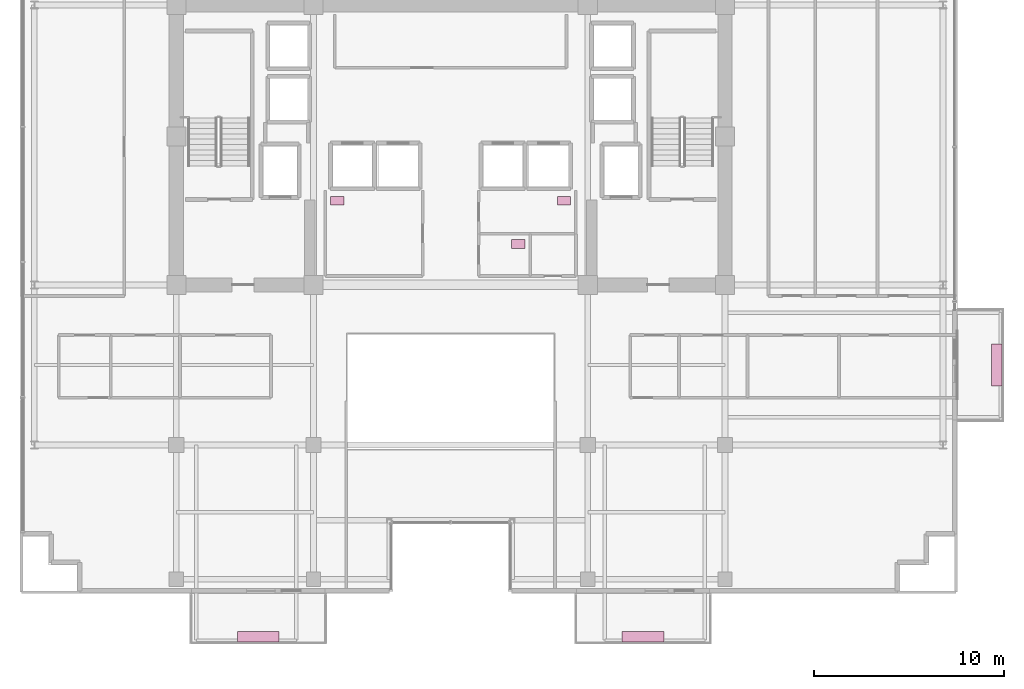
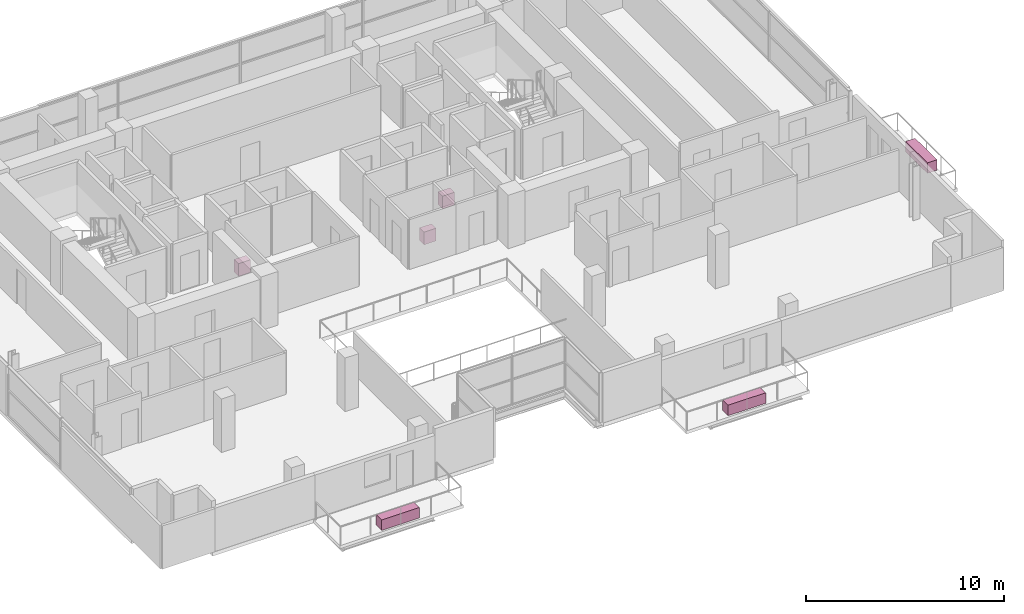
# One storey, part 21 of 21: 6 furnishings.
"""IFC4 building model written with IfcOpenShell, lengths in metres."""

from ifc_helpers import new_model, si_unit, direction, frame, origin, origin_2d, place, context, subcontext, project, spatial, rectangle, extrude, source, transform, mapped, material, type_object, element, save


model = new_model("IFC4")

# Units and contexts
model_context = context("Model", 3, precision=1e-05, world=origin(), true_north=direction((0.0, 1.0)))
body_context = subcontext(model_context, "Body", "Model", "MODEL_VIEW")
ifc_project = project(units=[si_unit("LENGTHUNIT", "METRE"), si_unit("AREAUNIT", "SQUARE_METRE"), si_unit("VOLUMEUNIT", "CUBIC_METRE"), si_unit("PLANEANGLEUNIT", "RADIAN"), si_unit("MASSUNIT", "GRAM", prefix="KILO")], contexts=[model_context])

# Site, building, storey
site_placement = place(None, origin())
site = spatial("IfcSite", under=ifc_project, at=site_placement, CompositionType="ELEMENT")
building_placement = place(site_placement, origin())
building = spatial("IfcBuilding", under=site, at=building_placement, Name="Zarnakvel Exchange Tower", CompositionType="ELEMENT")
storey_placement = place(building_placement, frame((0.0, 0.0, 189.10009765625)))
storey = spatial("IfcBuildingStorey", under=building, at=storey_placement, Name="L53", CompositionType="ELEMENT", Elevation=189.10009765625)

# Furnishings
ifc_material_1 = material(Name="Architectural Bronze Anodised Aluminium", Category="aluminium")
furnishing_element_type_1 = type_object("IfcFurnishingElementType", Name="PLNT-01", material=ifc_material_1)
shared_shape_1 = source(origin(), body_context, "Body", "SweptSolid", [
    extrude(rectangle(XDim=2.199951171875, YDim=0.550048828125, at=origin_2d()), origin(), (0.0, 0.0, 1.0), 0.64990234375),
])
for number, where, z_axis, x_axis, name in (
    (1, (-10.10009765625, -19.669921875, -0.03515625), (0.0, 0.0, 1.0), (1.0, 0.0, 0.0), "L53 Balcony Greenery Planter BAL-L53-SW"),
    (2, (10.10009765625, -19.669921875, -0.03515625), (0.0, 0.0, 1.0), (1.0, 0.0, 0.0), "L53 Balcony Greenery Planter BAL-L53-SE"),
    (3, (28.669921875, -5.39990234375, -0.03515625), (0.0, 0.0, 1.0), (0.0, 1.0, 0.0), "L53 Balcony Greenery Planter BAL-L53-E"),
):
    element("IfcFurnishingElement", number, at=place(storey_placement, frame(where, z_axis=z_axis, x_axis=x_axis)), inside=storey, type_object=furnishing_element_type_1, Name=name, ObjectType="PLANTER", context=body_context, shape_type="MappedRepresentation", body=[
        mapped(shared_shape_1, transform((0.0, 0.0, 0.0), x_axis=(1.0, 0.0, 0.0), y_axis=(0.0, 1.0, 0.0), z_axis=(0.0, 0.0, 1.0), scale=1.0)),
    ])
ifc_material_2 = material(Name="Vitreous China Sanitaryware", Category="ceramic")
furnishing_element_type_2 = type_object("IfcFurnishingElementType", Name="SAN-WC", material=ifc_material_2)
shared_shape_2 = source(origin(), body_context, "Body", "SweptSolid", [
    extrude(rectangle(XDim=0.699951171875, YDim=0.449951171875, at=origin_2d()), origin(), (0.0, 0.0, 1.0), 0.780029296875),
])
for number, where, z_axis, x_axis, name in (
    (4, (-5.949951171875, 3.22998046875, 0.0), (0.0, 0.0, 1.0), (1.0, 0.0, 0.0), "L53 Sanitary Fixture (Male Toilet)"),
    (5, (5.949951171875, 3.22998046875, 0.0), (0.0, 0.0, 1.0), (1.0, 0.0, 0.0), "L53 Sanitary Fixture (Female Toilet)"),
    (6, (3.550048828125, 0.949951171875, 0.0), (0.0, 0.0, 1.0), (1.0, 0.0, 0.0), "L53 Sanitary Fixture (Accessible Toilet)"),
):
    element("IfcFurnishingElement", number, at=place(storey_placement, frame(where, z_axis=z_axis, x_axis=x_axis)), inside=storey, type_object=furnishing_element_type_2, Name=name, ObjectType="SANITARY_FIXTURE", context=body_context, shape_type="MappedRepresentation", body=[
        mapped(shared_shape_2, transform((0.0, 0.0, 0.0), x_axis=(1.0, 0.0, 0.0), y_axis=(0.0, 1.0, 0.0), z_axis=(0.0, 0.0, 1.0), scale=1.0)),
    ])

save(model, "model.ifc")
